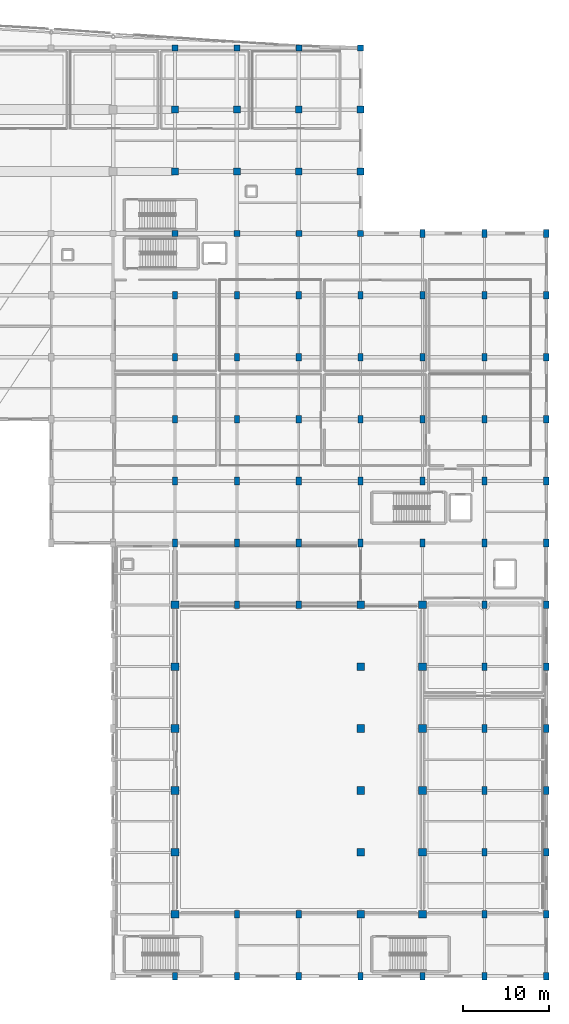
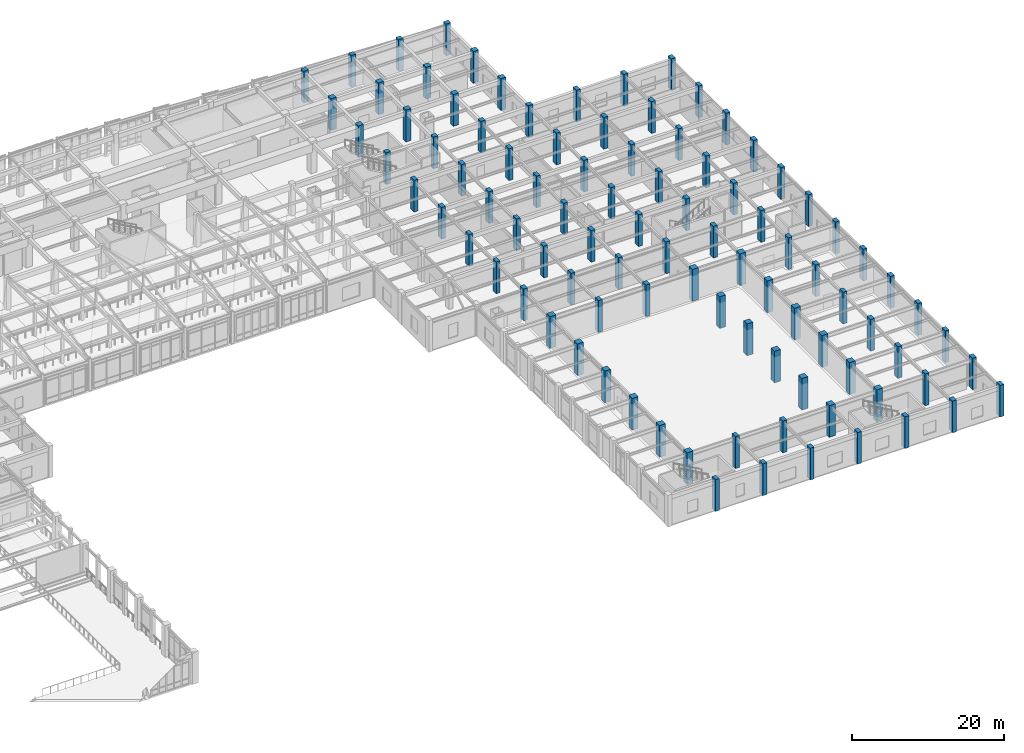
# One storey, part 11 of 117: 95 columns.
"""IFC4 building model written with IfcOpenShell, lengths in metres."""

from ifc_helpers import new_model, si_unit, direction, frame, origin, origin_2d, place, context, subcontext, project, spatial, rectangle, extrude, material, material_profile, profile_set, type_object, element, save


model = new_model("IFC4")

# Units and contexts
model_context = context("Model", 3, precision=1e-05, world=origin(), true_north=direction((0.0, 1.0)))
body_context = subcontext(model_context, "Body", "Model", "MODEL_VIEW")
ifc_project = project(units=[si_unit("LENGTHUNIT", "METRE"), si_unit("AREAUNIT", "SQUARE_METRE"), si_unit("VOLUMEUNIT", "CUBIC_METRE"), si_unit("PLANEANGLEUNIT", "RADIAN"), si_unit("MASSUNIT", "GRAM", prefix="KILO")], contexts=[model_context])

# Site, building, storey
site_placement = place(None, origin())
site = spatial("IfcSite", under=ifc_project, at=site_placement, CompositionType="ELEMENT")
building_placement = place(site_placement, origin())
building = spatial("IfcBuilding", under=site, at=building_placement, Name="Carrowvane Square Congress Hotel", CompositionType="ELEMENT")
storey_placement = place(building_placement, frame((0.0, 0.0, 5.39990234375)))
storey = spatial("IfcBuildingStorey", under=building, at=storey_placement, Name="L01", CompositionType="ELEMENT", Elevation=5.39990234375)

# Columns
ifc_material_1 = material(Name="Concrete C40/50", Category="concrete")
ifc_material_profile_1 = material_profile(ifc_material_1, rectangle(XDim=0.60009765625, YDim=0.89990234375, at=origin_2d()), Name="RC 600x900")
ifc_profile_set_1 = profile_set([ifc_material_profile_1], Name="Concrete C40/50")
column_type_1 = type_object("IfcColumnType", Name="COL-RC-600x900", PredefinedType="COLUMN", material=ifc_profile_set_1)
for number, where, z_axis, x_axis, name in (
    (1, (141.199951171875, 5.39990234375, 0.0), (0.0, 0.0, 1.0), (1.0, 0.0, 0.0), "L01 column 19/A"),
    (2, (141.199951171875, 55.800048828125, 0.0), (0.0, 0.0, 1.0), (1.0, 0.0, 0.0), "L01 column 19/H"),
    (3, (141.199951171875, 63.0, 0.0), (0.0, 0.0, 1.0), (1.0, 0.0, 0.0), "L01 column 19/J"),
    (4, (141.199951171875, 70.199951171875, 0.0), (0.0, 0.0, 1.0), (1.0, 0.0, 0.0), "L01 column 19/K"),
    (5, (141.199951171875, 77.39990234375, 0.0), (0.0, 0.0, 1.0), (1.0, 0.0, 0.0), "L01 column 19/L"),
    (6, (141.199951171875, 84.60009765625, 0.0), (0.0, 0.0, 1.0), (1.0, 0.0, 0.0), "L01 column 19/M"),
    (7, (148.39990234375, 5.39990234375, 0.0), (0.0, 0.0, 1.0), (1.0, 0.0, 0.0), "L01 column 20/A"),
    (8, (148.39990234375, 12.60009765625, 0.0), (0.0, 0.0, 1.0), (1.0, 0.0, 0.0), "L01 column 20/B"),
    (9, (148.39990234375, 48.60009765625, 0.0), (0.0, 0.0, 1.0), (1.0, 0.0, 0.0), "L01 column 20/G"),
    (10, (148.39990234375, 55.800048828125, 0.0), (0.0, 0.0, 1.0), (1.0, 0.0, 0.0), "L01 column 20/H"),
    (11, (148.39990234375, 63.0, 0.0), (0.0, 0.0, 1.0), (1.0, 0.0, 0.0), "L01 column 20/J"),
    (12, (148.39990234375, 70.199951171875, 0.0), (0.0, 0.0, 1.0), (1.0, 0.0, 0.0), "L01 column 20/K"),
    (13, (148.39990234375, 77.39990234375, 0.0), (0.0, 0.0, 1.0), (1.0, 0.0, 0.0), "L01 column 20/L"),
    (14, (148.39990234375, 84.60009765625, 0.0), (0.0, 0.0, 1.0), (1.0, 0.0, 0.0), "L01 column 20/M"),
    (15, (155.60009765625, 5.39990234375, 0.0), (0.0, 0.0, 1.0), (1.0, 0.0, 0.0), "L01 column 21/A"),
    (16, (155.60009765625, 12.60009765625, 0.0), (0.0, 0.0, 1.0), (1.0, 0.0, 0.0), "L01 column 21/B"),
    (17, (155.60009765625, 48.60009765625, 0.0), (0.0, 0.0, 1.0), (1.0, 0.0, 0.0), "L01 column 21/G"),
    (18, (155.60009765625, 55.800048828125, 0.0), (0.0, 0.0, 1.0), (1.0, 0.0, 0.0), "L01 column 21/H"),
    (19, (155.60009765625, 63.0, 0.0), (0.0, 0.0, 1.0), (1.0, 0.0, 0.0), "L01 column 21/J"),
    (20, (155.60009765625, 70.199951171875, 0.0), (0.0, 0.0, 1.0), (1.0, 0.0, 0.0), "L01 column 21/K"),
    (21, (155.60009765625, 77.39990234375, 0.0), (0.0, 0.0, 1.0), (1.0, 0.0, 0.0), "L01 column 21/L"),
    (22, (155.60009765625, 84.60009765625, 0.0), (0.0, 0.0, 1.0), (1.0, 0.0, 0.0), "L01 column 21/M"),
    (23, (162.800048828125, 5.39990234375, 0.0), (0.0, 0.0, 1.0), (1.0, 0.0, 0.0), "L01 column 22/A"),
    (24, (162.800048828125, 55.800048828125, 0.0), (0.0, 0.0, 1.0), (1.0, 0.0, 0.0), "L01 column 22/H"),
    (25, (162.800048828125, 63.0, 0.0), (0.0, 0.0, 1.0), (1.0, 0.0, 0.0), "L01 column 22/J"),
    (26, (162.800048828125, 70.199951171875, 0.0), (0.0, 0.0, 1.0), (1.0, 0.0, 0.0), "L01 column 22/K"),
    (27, (162.800048828125, 77.39990234375, 0.0), (0.0, 0.0, 1.0), (1.0, 0.0, 0.0), "L01 column 22/L"),
    (28, (162.800048828125, 84.60009765625, 0.0), (0.0, 0.0, 1.0), (1.0, 0.0, 0.0), "L01 column 22/M"),
    (29, (170.0, 5.39990234375, 0.0), (0.0, 0.0, 1.0), (1.0, 0.0, 0.0), "L01 column 23/A"),
    (30, (170.0, 55.800048828125, 0.0), (0.0, 0.0, 1.0), (1.0, 0.0, 0.0), "L01 column 23/H"),
    (31, (170.0, 63.0, 0.0), (0.0, 0.0, 1.0), (1.0, 0.0, 0.0), "L01 column 23/J"),
    (32, (170.0, 70.199951171875, 0.0), (0.0, 0.0, 1.0), (1.0, 0.0, 0.0), "L01 column 23/K"),
    (33, (170.0, 77.39990234375, 0.0), (0.0, 0.0, 1.0), (1.0, 0.0, 0.0), "L01 column 23/L"),
    (34, (170.0, 84.60009765625, 0.0), (0.0, 0.0, 1.0), (1.0, 0.0, 0.0), "L01 column 23/M"),
    (35, (170.0, 91.800048828125, 0.0), (0.0, 0.0, 1.0), (1.0, 0.0, 0.0), "L01 column 23/N"),
    (36, (177.199951171875, 5.39990234375, 0.0), (0.0, 0.0, 1.0), (1.0, 0.0, 0.0), "L01 column 24/A"),
    (37, (177.199951171875, 12.60009765625, 0.0), (0.0, 0.0, 1.0), (1.0, 0.0, 0.0), "L01 column 24/B"),
    (38, (177.199951171875, 19.800048828125, 0.0), (0.0, 0.0, 1.0), (1.0, 0.0, 0.0), "L01 column 24/C"),
    (39, (177.199951171875, 27.0, 0.0), (0.0, 0.0, 1.0), (1.0, 0.0, 0.0), "L01 column 24/D"),
    (40, (177.199951171875, 34.199951171875, 0.0), (0.0, 0.0, 1.0), (1.0, 0.0, 0.0), "L01 column 24/E"),
    (41, (177.199951171875, 41.39990234375, 0.0), (0.0, 0.0, 1.0), (1.0, 0.0, 0.0), "L01 column 24/F"),
    (42, (177.199951171875, 48.60009765625, 0.0), (0.0, 0.0, 1.0), (1.0, 0.0, 0.0), "L01 column 24/G"),
    (43, (177.199951171875, 55.800048828125, 0.0), (0.0, 0.0, 1.0), (1.0, 0.0, 0.0), "L01 column 24/H"),
    (44, (177.199951171875, 63.0, 0.0), (0.0, 0.0, 1.0), (1.0, 0.0, 0.0), "L01 column 24/J"),
    (45, (177.199951171875, 70.199951171875, 0.0), (0.0, 0.0, 1.0), (1.0, 0.0, 0.0), "L01 column 24/K"),
    (46, (177.199951171875, 77.39990234375, 0.0), (0.0, 0.0, 1.0), (1.0, 0.0, 0.0), "L01 column 24/L"),
    (47, (177.199951171875, 84.60009765625, 0.0), (0.0, 0.0, 1.0), (1.0, 0.0, 0.0), "L01 column 24/M"),
    (48, (177.199951171875, 91.800048828125, 0.0), (0.0, 0.0, 1.0), (1.0, 0.0, 0.0), "L01 column 24/N"),
    (49, (184.39990234375, 5.39990234375, 0.0), (0.0, 0.0, 1.0), (1.0, 0.0, 0.0), "L01 column 25/A"),
    (50, (184.39990234375, 12.60009765625, 0.0), (0.0, 0.0, 1.0), (1.0, 0.0, 0.0), "L01 column 25/B"),
    (51, (184.39990234375, 19.800048828125, 0.0), (0.0, 0.0, 1.0), (1.0, 0.0, 0.0), "L01 column 25/C"),
    (52, (184.39990234375, 27.0, 0.0), (0.0, 0.0, 1.0), (1.0, 0.0, 0.0), "L01 column 25/D"),
    (53, (184.39990234375, 34.199951171875, 0.0), (0.0, 0.0, 1.0), (1.0, 0.0, 0.0), "L01 column 25/E"),
    (54, (184.39990234375, 41.39990234375, 0.0), (0.0, 0.0, 1.0), (1.0, 0.0, 0.0), "L01 column 25/F"),
    (55, (184.39990234375, 48.60009765625, 0.0), (0.0, 0.0, 1.0), (1.0, 0.0, 0.0), "L01 column 25/G"),
    (56, (184.39990234375, 55.800048828125, 0.0), (0.0, 0.0, 1.0), (1.0, 0.0, 0.0), "L01 column 25/H"),
    (57, (184.39990234375, 63.0, 0.0), (0.0, 0.0, 1.0), (1.0, 0.0, 0.0), "L01 column 25/J"),
    (58, (184.39990234375, 70.199951171875, 0.0), (0.0, 0.0, 1.0), (1.0, 0.0, 0.0), "L01 column 25/K"),
    (59, (184.39990234375, 77.39990234375, 0.0), (0.0, 0.0, 1.0), (1.0, 0.0, 0.0), "L01 column 25/L"),
    (60, (184.39990234375, 84.60009765625, 0.0), (0.0, 0.0, 1.0), (1.0, 0.0, 0.0), "L01 column 25/M"),
    (61, (184.39990234375, 91.800048828125, 0.0), (0.0, 0.0, 1.0), (1.0, 0.0, 0.0), "L01 column 25/N"),
):
    element("IfcColumn", number, at=place(storey_placement, frame(where, z_axis=z_axis, x_axis=x_axis)), inside=storey, type_object=column_type_1, Name=name, PredefinedType="COLUMN", context=body_context, shape_type="SweptSolid", body=[
        extrude(rectangle(XDim=0.60009765625, YDim=0.89990234375, at=origin_2d()), origin(), (0.0, 0.0, 1.0), 5.10009765625),
    ])
ifc_material_2 = material(Name="Concrete C40/50", Category="concrete")
ifc_material_profile_2 = material_profile(ifc_material_2, rectangle(XDim=0.699951171875, YDim=0.699951171875, at=origin_2d()), Name="RC 700x700")
ifc_profile_set_2 = profile_set([ifc_material_profile_2], Name="Concrete C40/50")
column_type_2 = type_object("IfcColumnType", Name="COL-RC-700", PredefinedType="COLUMN", material=ifc_profile_set_2)
for number, where, z_axis, x_axis, name in (
    (62, (141.199951171875, 91.800048828125, 0.0), (0.0, 0.0, 1.0), (1.0, 0.0, 0.0), "L01 column 19/N"),
    (63, (141.199951171875, 113.39990234375, 0.0), (0.0, 0.0, 1.0), (1.0, 0.0, 0.0), "L01 column 19/R"),
    (64, (148.39990234375, 91.800048828125, 0.0), (0.0, 0.0, 1.0), (1.0, 0.0, 0.0), "L01 column 20/N"),
    (65, (148.39990234375, 113.39990234375, 0.0), (0.0, 0.0, 1.0), (1.0, 0.0, 0.0), "L01 column 20/R"),
    (66, (155.60009765625, 91.800048828125, 0.0), (0.0, 0.0, 1.0), (1.0, 0.0, 0.0), "L01 column 21/N"),
    (67, (155.60009765625, 113.39990234375, 0.0), (0.0, 0.0, 1.0), (1.0, 0.0, 0.0), "L01 column 21/R"),
    (68, (162.800048828125, 91.800048828125, 0.0), (0.0, 0.0, 1.0), (1.0, 0.0, 0.0), "L01 column 22/N"),
    (69, (162.800048828125, 113.39990234375, 0.0), (0.0, 0.0, 1.0), (1.0, 0.0, 0.0), "L01 column 22/R"),
):
    element("IfcColumn", number, at=place(storey_placement, frame(where, z_axis=z_axis, x_axis=x_axis)), inside=storey, type_object=column_type_2, Name=name, PredefinedType="COLUMN", context=body_context, shape_type="SweptSolid", body=[
        extrude(rectangle(XDim=0.699951171875, YDim=0.699951171875, at=origin_2d()), origin(), (0.0, 0.0, 1.0), 5.10009765625),
    ])
ifc_material_3 = material(Name="Concrete C40/50", Category="concrete")
ifc_material_profile_3 = material_profile(ifc_material_3, rectangle(XDim=0.800048828125, YDim=0.800048828125, at=origin_2d()), Name="RC 800x800")
ifc_profile_set_3 = profile_set([ifc_material_profile_3], Name="Concrete C40/50")
column_type_3 = type_object("IfcColumnType", Name="COL-RC-800", PredefinedType="COLUMN", material=ifc_profile_set_3)
for number, where, z_axis, x_axis, name in (
    (70, (141.199951171875, 99.0, 0.0), (0.0, 0.0, 1.0), (1.0, 0.0, 0.0), "L01 column 19/P"),
    (71, (141.199951171875, 106.199951171875, 0.0), (0.0, 0.0, 1.0), (1.0, 0.0, 0.0), "L01 column 19/Q"),
    (72, (148.39990234375, 99.0, 0.0), (0.0, 0.0, 1.0), (1.0, 0.0, 0.0), "L01 column 20/P"),
    (73, (148.39990234375, 106.199951171875, 0.0), (0.0, 0.0, 1.0), (1.0, 0.0, 0.0), "L01 column 20/Q"),
    (74, (155.60009765625, 99.0, 0.0), (0.0, 0.0, 1.0), (1.0, 0.0, 0.0), "L01 column 21/P"),
    (75, (155.60009765625, 106.199951171875, 0.0), (0.0, 0.0, 1.0), (1.0, 0.0, 0.0), "L01 column 21/Q"),
    (76, (162.800048828125, 99.0, 0.0), (0.0, 0.0, 1.0), (1.0, 0.0, 0.0), "L01 column 22/P"),
    (77, (162.800048828125, 106.199951171875, 0.0), (0.0, 0.0, 1.0), (1.0, 0.0, 0.0), "L01 column 22/Q"),
):
    element("IfcColumn", number, at=place(storey_placement, frame(where, z_axis=z_axis, x_axis=x_axis)), inside=storey, type_object=column_type_3, Name=name, PredefinedType="COLUMN", context=body_context, shape_type="SweptSolid", body=[
        extrude(rectangle(XDim=0.800048828125, YDim=0.800048828125, at=origin_2d()), origin(), (0.0, 0.0, 1.0), 5.10009765625),
    ])
ifc_material_4 = material(Name="Concrete C40/50", Category="concrete")
ifc_material_profile_4 = material_profile(ifc_material_4, rectangle(XDim=0.89990234375, YDim=0.89990234375, at=origin_2d()), Name="RC 900x900")
ifc_profile_set_4 = profile_set([ifc_material_profile_4], Name="Concrete C40/50")
column_type_4 = type_object("IfcColumnType", Name="MCOL-RC-900", PredefinedType="COLUMN", material=ifc_profile_set_4)
for number, where, z_axis, x_axis, name in (
    (78, (141.199951171875, 12.60009765625, 0.0), (0.0, 0.0, 1.0), (1.0, 0.0, 0.0), "L01 column 19/B"),
    (79, (141.199951171875, 19.800048828125, 0.0), (0.0, 0.0, 1.0), (1.0, 0.0, 0.0), "L01 column 19/C"),
    (80, (141.199951171875, 27.0, 0.0), (0.0, 0.0, 1.0), (1.0, 0.0, 0.0), "L01 column 19/D"),
    (81, (141.199951171875, 34.199951171875, 0.0), (0.0, 0.0, 1.0), (1.0, 0.0, 0.0), "L01 column 19/E"),
    (82, (141.199951171875, 41.39990234375, 0.0), (0.0, 0.0, 1.0), (1.0, 0.0, 0.0), "L01 column 19/F"),
    (83, (141.199951171875, 48.60009765625, 0.0), (0.0, 0.0, 1.0), (1.0, 0.0, 0.0), "L01 column 19/G"),
    (84, (162.800048828125, 12.60009765625, 0.0), (0.0, 0.0, 1.0), (1.0, 0.0, 0.0), "L01 column 22/B"),
    (85, (162.800048828125, 19.800048828125, 0.0), (0.0, 0.0, 1.0), (1.0, 0.0, 0.0), "L01 column 22/C"),
    (86, (162.800048828125, 27.0, 0.0), (0.0, 0.0, 1.0), (1.0, 0.0, 0.0), "L01 column 22/D"),
    (87, (162.800048828125, 34.199951171875, 0.0), (0.0, 0.0, 1.0), (1.0, 0.0, 0.0), "L01 column 22/E"),
    (88, (162.800048828125, 41.39990234375, 0.0), (0.0, 0.0, 1.0), (1.0, 0.0, 0.0), "L01 column 22/F"),
    (89, (162.800048828125, 48.60009765625, 0.0), (0.0, 0.0, 1.0), (1.0, 0.0, 0.0), "L01 column 22/G"),
    (90, (170.0, 12.60009765625, 0.0), (0.0, 0.0, 1.0), (1.0, 0.0, 0.0), "L01 column 23/B"),
    (91, (170.0, 19.800048828125, 0.0), (0.0, 0.0, 1.0), (1.0, 0.0, 0.0), "L01 column 23/C"),
    (92, (170.0, 27.0, 0.0), (0.0, 0.0, 1.0), (1.0, 0.0, 0.0), "L01 column 23/D"),
    (93, (170.0, 34.199951171875, 0.0), (0.0, 0.0, 1.0), (1.0, 0.0, 0.0), "L01 column 23/E"),
    (94, (170.0, 41.39990234375, 0.0), (0.0, 0.0, 1.0), (1.0, 0.0, 0.0), "L01 column 23/F"),
    (95, (170.0, 48.60009765625, 0.0), (0.0, 0.0, 1.0), (1.0, 0.0, 0.0), "L01 column 23/G"),
):
    element("IfcColumn", number, at=place(storey_placement, frame(where, z_axis=z_axis, x_axis=x_axis)), inside=storey, type_object=column_type_4, Name=name, PredefinedType="COLUMN", context=body_context, shape_type="SweptSolid", body=[
        extrude(rectangle(XDim=0.89990234375, YDim=0.89990234375, at=origin_2d()), origin(), (0.0, 0.0, 1.0), 5.10009765625),
    ])

save(model, "model.ifc")
